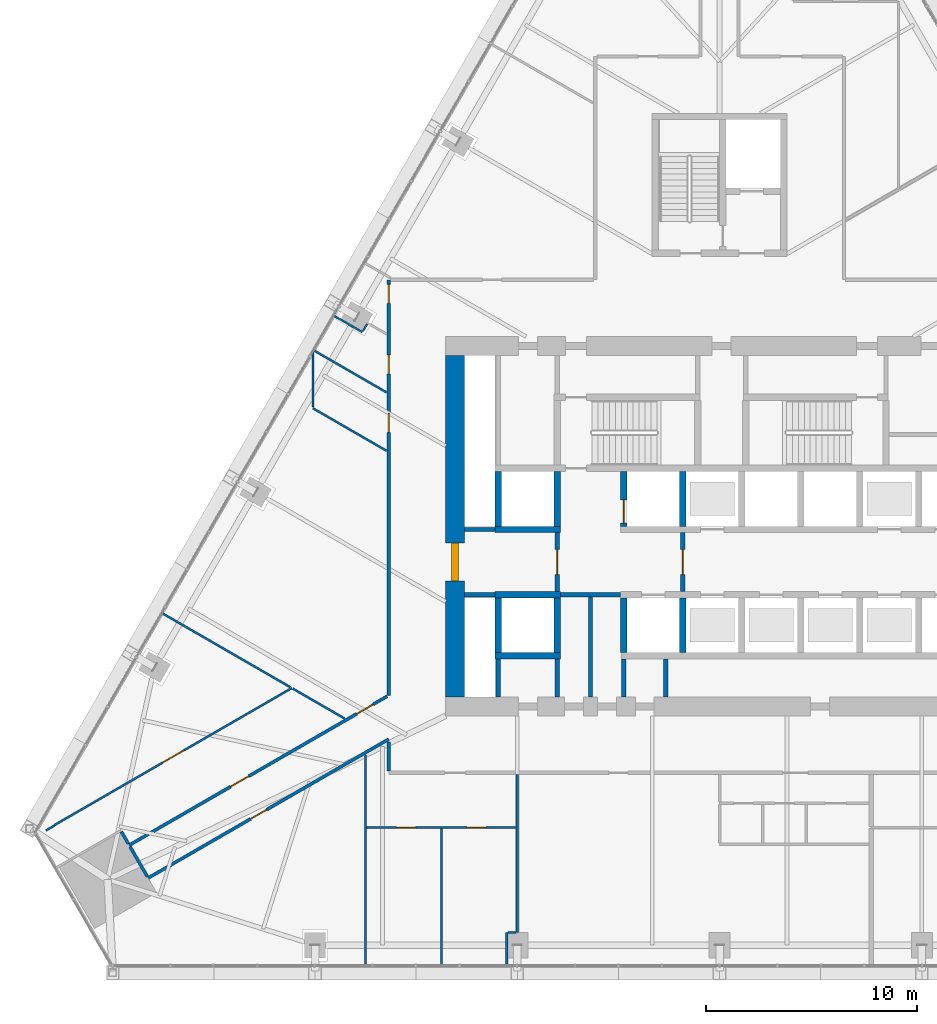
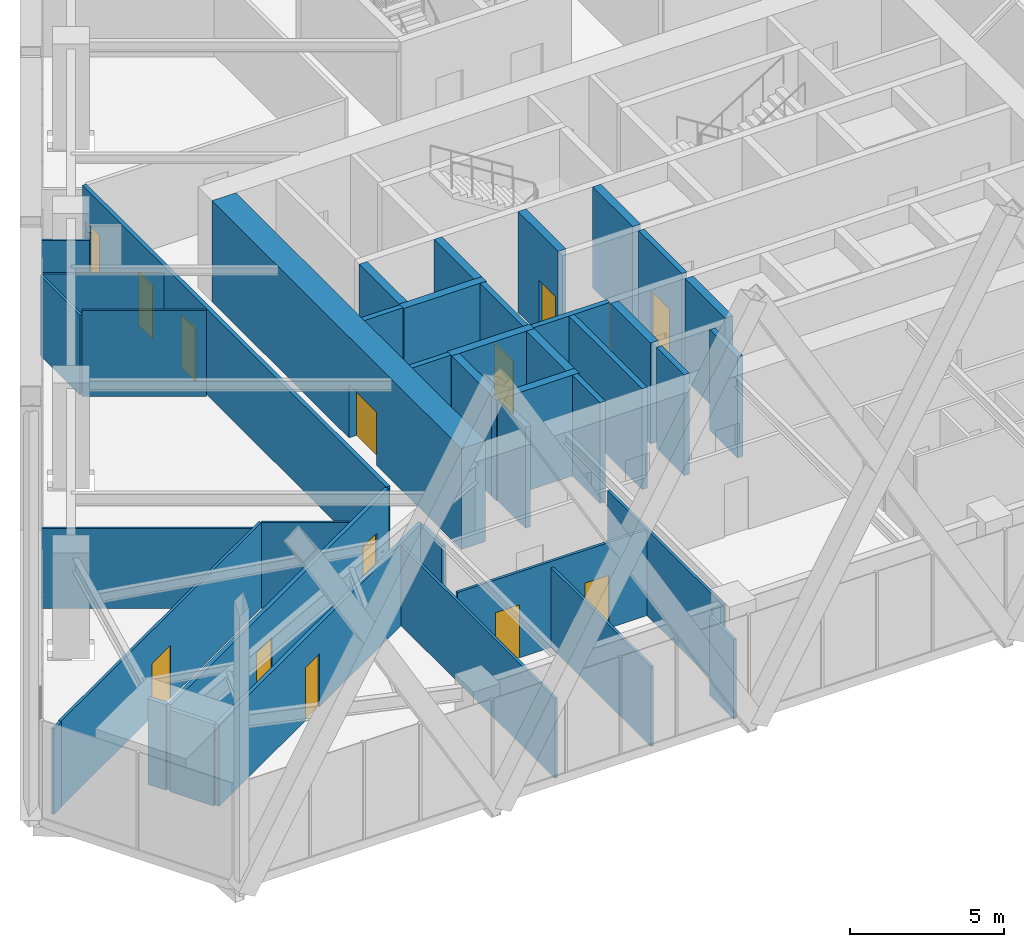
# One storey, part 17 of 26: 43 walls, 13 doors, 13 openings.
"""IFC4 building model written with IfcOpenShell, lengths in metres."""

import ifcopenshell
import ifcopenshell.guid

model = None  # the IFC model being written
_history = None  # IfcOwnerHistory: only IFC2X3 demands one
_inside = {}  # id of a spatial element -> (the spatial element, [elements in it])
_under = {}  # id of a project, library or spatial element -> (it, [spatial elements below it])
_declared = {}  # id of a project -> (the project, [libraries it declares])
_typed = {}  # id of a type object -> (the type object, [elements of that type])
_made_of = {}  # id of a material, layer set ... -> (it, [elements and type objects made of it])


def new_model(schema):
    """Start an empty IFC model of exactly this schema.

    Asked for "IFC4X3", IfcOpenShell would pick the latest addendum, in which some entities
    have other attributes; the version numbers below select the first issue.
    IFC2X3 requires an IfcOwnerHistory on every rooted entity: one is made here for all.
    """
    global model, _history
    if schema == "IFC4X3":
        model = ifcopenshell.file(schema_version=(4, 3, 0, 0))
    else:
        model = ifcopenshell.file(schema=schema)
    _inside.clear()
    _under.clear()
    _declared.clear()
    _typed.clear()
    _made_of.clear()
    _history = None
    if model.schema == "IFC2X3":
        org = make("IfcOrganization", Name="unknown")
        user = make(
            "IfcPersonAndOrganization",
            ThePerson=make("IfcPerson", FamilyName="unknown"),
            TheOrganization=org,
        )
        app = make(
            "IfcApplication",
            ApplicationDeveloper=org,
            Version="unknown",
            ApplicationFullName="unknown",
            ApplicationIdentifier="unknown",
        )
        _history = make(
            "IfcOwnerHistory",
            OwningUser=user,
            OwningApplication=app,
            ChangeAction="ADDED",
            CreationDate=0,
        )
    return model


def make(cls, **values):
    """One entity of the class cls with the attributes given. An attribute that is None is left unset."""
    return model.create_entity(
        cls, **{name: value for name, value in values.items() if value is not None}
    )


def rooted(cls, **values):
    """An entity with a GlobalId (a new one), such as an element, a storey or a relation."""
    return make(cls, GlobalId=ifcopenshell.guid.new(), OwnerHistory=_history, **values)


def si_unit(unit_type, name, prefix=None):
    """IfcSIUnit, for example si_unit("LENGTHUNIT", "METRE", prefix="MILLI")."""
    return make("IfcSIUnit", UnitType=unit_type, Prefix=prefix, Name=name)


def assignment(units):
    """IfcUnitAssignment: the units of a project."""
    return None if units is None else make("IfcUnitAssignment", Units=units)


def point(xyz):
    """IfcCartesianPoint."""
    return None if xyz is None else make("IfcCartesianPoint", Coordinates=xyz)


def direction(xyz):
    """IfcDirection."""
    return None if xyz is None else make("IfcDirection", DirectionRatios=xyz)


def frame(location, z_axis=None, x_axis=None):
    """IfcAxis2Placement3D, a coordinate frame: its origin and axes. An axis left out is left unset."""
    return make(
        "IfcAxis2Placement3D",
        Location=point(location),
        Axis=direction(z_axis),
        RefDirection=direction(x_axis),
    )


def frame_2d(location, x_axis=None):
    """IfcAxis2Placement2D, a coordinate frame in the plane: its origin and x axis."""
    return make(
        "IfcAxis2Placement2D", Location=point(location), RefDirection=direction(x_axis)
    )


def origin():
    """The frame at (0, 0, 0) with its axes left unset."""
    return frame((0.0, 0.0, 0.0))


def place(relative_to, where):
    """IfcLocalPlacement: puts the frame where relative to a parent placement (None: the world)."""
    return make(
        "IfcLocalPlacement", PlacementRelTo=relative_to, RelativePlacement=where
    )


def context(
    kind, dimensions, precision=None, world=None, true_north=None, identifier=None
):
    """IfcGeometricRepresentationContext, for example the 3D "Model" context."""
    return make(
        "IfcGeometricRepresentationContext",
        ContextIdentifier=identifier,
        ContextType=kind,
        CoordinateSpaceDimension=dimensions,
        Precision=precision,
        WorldCoordinateSystem=world,
        TrueNorth=true_north,
    )


def subcontext(parent, identifier, kind, view, scale=None):
    """IfcGeometricRepresentationSubContext, for example "Body" below "Model"."""
    return make(
        "IfcGeometricRepresentationSubContext",
        ContextIdentifier=identifier,
        ContextType=kind,
        ParentContext=parent,
        TargetScale=scale,
        TargetView=view,
    )


def project(units=None, contexts=None):
    """IfcProject with its units and contexts."""
    return rooted(
        "IfcProject",
        Name="project",
        RepresentationContexts=contexts,
        UnitsInContext=assignment(units),
    )


def spatial(cls, under=None, at=None, **own):
    """A site, building, storey or space (cls), placed at a placement, below another one or the project."""
    s = rooted(cls, ObjectPlacement=at, **own)
    if under is not None:
        _under.setdefault(under.id(), (under, []))[1].append(s)
    return s


def profile(cls, at=None, kind="AREA", **sizes):
    """A parametric profile (cls). Its sizes go by their IFC names, for example OverallWidth=200.0."""
    return make(cls, ProfileType=kind, Position=at, **sizes)


def rectangle(**sizes):
    """IfcRectangleProfileDef."""
    return profile("IfcRectangleProfileDef", **sizes)


def extrude(swept, where, along, depth):
    """IfcExtrudedAreaSolid: the profile swept, set in the frame where, extruded along a direction by depth."""
    return make(
        "IfcExtrudedAreaSolid",
        SweptArea=swept,
        Position=where,
        ExtrudedDirection=direction(along),
        Depth=depth,
    )


def shape(context_of_items, identifier, shape_type, items):
    """IfcShapeRepresentation: the items that make up one representation, for example the "Body"."""
    return make(
        "IfcShapeRepresentation",
        ContextOfItems=context_of_items,
        RepresentationIdentifier=identifier,
        RepresentationType=shape_type,
        Items=items,
    )


def material(Name=None, Category=None):
    """IfcMaterial."""
    return make("IfcMaterial", Name=Name, Category=Category)


def layer(
    of_material, thickness, ventilated=None, Name=None, Category=None, Priority=None
):
    """IfcMaterialLayer: one layer of a wall or slab, of a material (None: an air gap)."""
    return make(
        "IfcMaterialLayer",
        Material=of_material,
        LayerThickness=thickness,
        IsVentilated=ventilated,
        Name=Name,
        Category=Category,
        Priority=Priority,
    )


def layer_set(layers, Name=None):
    """IfcMaterialLayerSet."""
    return make("IfcMaterialLayerSet", MaterialLayers=layers, LayerSetName=Name)


def made_of(thing, what):
    """Note that an element or type object is made of a material, layer set ...; save() writes the relation."""
    if what is not None:
        _made_of.setdefault(what.id(), (what, []))[1].append(thing)
    return thing


def type_object(cls, material=None, **own):
    """A type object (cls), such as IfcWallType, which elements share."""
    return made_of(rooted(cls, **own), material)


def element(
    cls,
    number,
    at=None,
    inside=None,
    cuts=None,
    type_object=None,
    material=None,
    context=None,
    identifier="Body",
    shape_type=None,
    held_by="IfcProductDefinitionShape",
    body=None,
    shapes=None,
    **own,
):
    """One element of the class cls, such as IfcWall. Its Tag is "e" and its number.

    at: its placement. inside: the storey or other place that contains it. cuts: it is an
    opening in that element (IfcRelVoidsElement). A single representation is given by context,
    identifier, shape_type and body (its items); several are given by shapes. held_by: the class
    of the entity that holds the representations. save() writes the other relations.
    """
    e = rooted(cls, Tag="e%d" % number, ObjectPlacement=at, **own)
    if body is not None:
        shapes = [shape(context, identifier, shape_type, body)]
    if shapes is not None:
        e.Representation = make(held_by, Representations=shapes)
    if inside is not None:
        _inside.setdefault(inside.id(), (inside, []))[1].append(e)
    if cuts is not None:
        rooted(
            "IfcRelVoidsElement", RelatingBuildingElement=cuts, RelatedOpeningElement=e
        )
    if type_object is not None:
        _typed.setdefault(type_object.id(), (type_object, []))[1].append(e)
    return made_of(e, material)


def fill(opening, filler):
    """IfcRelFillsElement: the door or window that sits in an opening."""
    return rooted(
        "IfcRelFillsElement",
        RelatingOpeningElement=opening,
        RelatedBuildingElement=filler,
    )


def aggregate(whole, parts):
    """IfcRelAggregates: a whole, such as a stair, and the parts it consists of."""
    return rooted("IfcRelAggregates", RelatingObject=whole, RelatedObjects=parts)


def save(model, path):
    """Write the relations noted so far, then the file.

    IfcRelAggregates (storeys below a building ...), IfcRelContainedInSpatialStructure (elements
    in a storey), IfcRelDefinesByType, IfcRelAssociatesMaterial and IfcRelDeclares: one each for
    every whole, place, type object, material and project.
    """
    for whole, parts in _under.values():
        aggregate(whole, parts)
    for where, things in _inside.values():
        rooted(
            "IfcRelContainedInSpatialStructure",
            RelatedElements=things,
            RelatingStructure=where,
        )
    for kind, things in _typed.values():
        rooted("IfcRelDefinesByType", RelatedObjects=things, RelatingType=kind)
    for what, things in _made_of.values():
        rooted("IfcRelAssociatesMaterial", RelatedObjects=things, RelatingMaterial=what)
    for by, libraries in _declared.values():
        rooted("IfcRelDeclares", RelatingContext=by, RelatedDefinitions=libraries)
    model.write(path)


model = new_model("IFC4")

# Units and contexts
model_context = context("Model", 3, precision=1e-05, world=origin(), true_north=direction((0.0, 1.0)))
body_context = subcontext(model_context, "Body", "Model", "MODEL_VIEW")
ifc_project = project(units=[si_unit("LENGTHUNIT", "METRE"), si_unit("AREAUNIT", "SQUARE_METRE"), si_unit("VOLUMEUNIT", "CUBIC_METRE"), si_unit("PLANEANGLEUNIT", "RADIAN"), si_unit("MASSUNIT", "GRAM", prefix="KILO")], contexts=[model_context])

# Site, building, storey
site_placement = place(None, origin())
site = spatial("IfcSite", under=ifc_project, at=site_placement, CompositionType="ELEMENT")
building_placement = place(site_placement, origin())
building = spatial("IfcBuilding", under=site, at=building_placement, Name="Firuza Gate Tower and Library", CompositionType="ELEMENT")
storey_placement = place(building_placement, frame((0.0, 0.0, 40.0)))
storey = spatial("IfcBuildingStorey", under=building, at=storey_placement, Name="L08", CompositionType="ELEMENT", Elevation=40.0)

# Walls
ifc_material_1 = material(Name="Plasterboard on steel studs", Category="steel")
ifc_layer_1 = layer(ifc_material_1, 0.199951171875)
ifc_layer_set_1 = layer_set([ifc_layer_1], Name="Core partition 200 EI 120")
wall_type_1 = type_object("IfcWallType", Name="Core partition 200 EI 120", PredefinedType="PARTITIONING", material=ifc_layer_set_1)
wall_1_placement = place(storey_placement, frame((62.89990234375, 71.75, 0.0), z_axis=(0.0, 0.0, 1.0), x_axis=(1.0, 0.0, 0.0)))
element("IfcWall", 1, at=wall_1_placement, inside=storey, type_object=wall_type_1, Name="Core partition L08 1", PredefinedType="PARTITIONING", context=body_context, shape_type="SweptSolid", body=[
    extrude(rectangle(XDim=1.4501953125, YDim=0.199951171875, at=frame_2d((0.72509765625, 0.0))), origin(), (0.0, 0.0, 1.0), 4.0),
])
wall_2_placement = place(storey_placement, frame((67.449951171875, 71.75, 0.0), z_axis=(0.0, 0.0, 1.0), x_axis=(1.0, 0.0, 0.0)))
element("IfcWall", 2, at=wall_2_placement, inside=storey, type_object=wall_type_1, Name="Core partition L08 2", PredefinedType="PARTITIONING", context=body_context, shape_type="SweptSolid", body=[
    extrude(rectangle(XDim=2.85009765625, YDim=0.199951171875, at=frame_2d((1.425048828125, 0.0))), origin(), (0.0, 0.0, 1.0), 4.0),
])
wall_3_placement = place(storey_placement, frame((62.89990234375, 74.85009765625, 0.0), z_axis=(0.0, 0.0, 1.0), x_axis=(1.0, 0.0, 0.0)))
element("IfcWall", 3, at=wall_3_placement, inside=storey, type_object=wall_type_1, Name="Core partition L08 3", PredefinedType="PARTITIONING", context=body_context, shape_type="SweptSolid", body=[
    extrude(rectangle(XDim=1.4501953125, YDim=0.199951171875, at=frame_2d((0.72509765625, 0.0))), origin(), (0.0, 0.0, 1.0), 4.0),
])
for number, where, z_axis, x_axis, name in (
    (4, (64.5, 66.89990234375, 0.0), (0.0, 0.0, 1.0), (0.0, 1.0, 0.0), "Core partition L08 5"),
    (5, (67.300048828125, 66.89990234375, 0.0), (0.0, 0.0, 1.0), (0.0, 1.0, 0.0), "Core partition L08 7"),
):
    element("IfcWall", number, at=place(storey_placement, frame(where, z_axis=z_axis, x_axis=x_axis)), inside=storey, type_object=wall_type_1, Name=name, PredefinedType="PARTITIONING", context=body_context, shape_type="SweptSolid", body=[
        extrude(rectangle(XDim=1.800048828125, YDim=0.199951171875, at=frame_2d((0.89990234375, 0.0))), origin(), (0.0, 0.0, 1.0), 4.0),
    ])
wall_4_placement = place(storey_placement, frame((68.875, 66.89990234375, 0.0), z_axis=(0.0, 0.0, 1.0), x_axis=(0.0, 1.0, 0.0)))
element("IfcWall", 6, at=wall_4_placement, inside=storey, type_object=wall_type_1, Name="Core partition L08 10", PredefinedType="PARTITIONING", context=body_context, shape_type="SweptSolid", body=[
    extrude(rectangle(XDim=4.75, YDim=0.199951171875, at=frame_2d((2.375, 0.0))), origin(), (0.0, 0.0, 1.0), 4.0),
])
for number, where, z_axis, x_axis, name in (
    (7, (70.449951171875, 66.89990234375, 0.0), (0.0, 0.0, 1.0), (0.0, 1.0, 0.0), "Core partition L08 11"),
    (8, (72.447998046875, 66.89990234375, 0.0), (0.0, 0.0, 1.0), (0.0, 1.0, 0.0), "Core partition L08 12"),
):
    element("IfcWall", number, at=place(storey_placement, frame(where, z_axis=z_axis, x_axis=x_axis)), inside=storey, type_object=wall_type_1, Name=name, PredefinedType="PARTITIONING", context=body_context, shape_type="SweptSolid", body=[
        extrude(rectangle(XDim=1.800048828125, YDim=0.199951171875, at=frame_2d((0.89990234375, 0.0))), origin(), (0.0, 0.0, 1.0), 4.0),
    ])

# Wall, opening, door
ifc_material_2 = material(Name="Plasterboard on steel studs", Category="steel")
ifc_layer_2 = layer(ifc_material_2, 0.199951171875)
ifc_layer_set_2 = layer_set([ifc_layer_2], Name="Core partition 200 EI 60")
wall_type_2 = type_object("IfcWallType", Name="Core partition 200 EI 60", PredefinedType="PARTITIONING", material=ifc_layer_set_2)
wall_5_placement = place(storey_placement, frame((67.300048828125, 71.89990234375, 0.0), z_axis=(0.0, 0.0, 1.0), x_axis=(0.0, 1.0, 0.0)))
wall_5 = element("IfcWall", 9, at=wall_5_placement, inside=storey, type_object=wall_type_2, Name="Core partition L08 8", PredefinedType="PARTITIONING", context=body_context, shape_type="SweptSolid", body=[
    extrude(rectangle(XDim=2.800048828125, YDim=0.199951171875, at=frame_2d((1.39990234375, 0.0))), origin(), (0.0, 0.0, 1.0), 4.0),
])
opening_1_placement = place(wall_5_placement, frame((0.800048828125, 0.0, 0.0)))
opening_1 = element("IfcOpeningElement", 10, at=opening_1_placement, cuts=wall_5, Name="Opening L08-K21", PredefinedType="OPENING", context=body_context, shape_type="SweptSolid", body=[
    extrude(rectangle(XDim=1.199951171875, YDim=2.10009765625, at=frame_2d((0.60009765625, 1.050048828125))), frame((0.0, 0.10986328125, 0.0), z_axis=(0.0, -1.0, 0.0), x_axis=(1.0, 0.0, 0.0)), (0.0, 0.0, 1.0), 0.219970703125),
])
ifc_material_3 = material(Name="Steel", Category="steel")
door_type_1 = type_object("IfcDoorType", Name="Fire door 1200x2100 FD90S", OperationType="NOTDEFINED", PredefinedType="DOOR", material=ifc_material_3)
door_1_placement = place(opening_1_placement, origin())
door_1 = element("IfcDoor", 11, at=door_1_placement, inside=storey, type_object=door_type_1, Name="Door L08-K21", OperationType="SINGLE_SWING_RIGHT", OverallHeight=2.10009765625, OverallWidth=1.199951171875, PredefinedType="DOOR", context=body_context, shape_type="SweptSolid", body=[
    extrude(rectangle(XDim=1.199951171875, YDim=2.10009765625, at=frame_2d((0.60009765625, 1.050048828125))), frame((0.0, 0.02490234375, 0.0), z_axis=(0.0, -1.0, 0.0), x_axis=(1.0, 0.0, 0.0)), (0.0, 0.0, 1.0), 0.050048828125),
])
fill(opening_1, door_1)

wall_6_placement = place(storey_placement, frame((73.25, 71.89990234375, 0.0), z_axis=(0.0, 0.0, 1.0), x_axis=(0.0, 1.0, 0.0)))
wall_6 = element("IfcWall", 12, at=wall_6_placement, inside=storey, type_object=wall_type_2, Name="Core partition L08 13", PredefinedType="PARTITIONING", context=body_context, shape_type="SweptSolid", body=[
    extrude(rectangle(XDim=2.800048828125, YDim=0.199951171875, at=frame_2d((1.39990234375, 0.0))), origin(), (0.0, 0.0, 1.0), 4.0),
])
opening_2_placement = place(wall_6_placement, frame((0.800048828125, 0.0, 0.0)))
opening_2 = element("IfcOpeningElement", 13, at=opening_2_placement, cuts=wall_6, Name="Opening L08-K20", PredefinedType="OPENING", context=body_context, shape_type="SweptSolid", body=[
    extrude(rectangle(XDim=1.199951171875, YDim=2.10009765625, at=frame_2d((0.60009765625, 1.050048828125))), frame((0.0, 0.10986328125, 0.0), z_axis=(0.0, -1.0, 0.0), x_axis=(1.0, 0.0, 0.0)), (0.0, 0.0, 1.0), 0.219970703125),
])
door_2_placement = place(opening_2_placement, origin())
door_2 = element("IfcDoor", 14, at=door_2_placement, inside=storey, type_object=door_type_1, Name="Door L08-K20", OperationType="SINGLE_SWING_LEFT", OverallHeight=2.10009765625, OverallWidth=1.199951171875, PredefinedType="DOOR", context=body_context, shape_type="SweptSolid", body=[
    extrude(rectangle(XDim=1.199951171875, YDim=2.10009765625, at=frame_2d((0.60009765625, 1.050048828125))), frame((0.0, 0.02490234375, 0.0), z_axis=(0.0, -1.0, 0.0), x_axis=(1.0, 0.0, 0.0)), (0.0, 0.0, 1.0), 0.050048828125),
])
fill(opening_2, door_2)

# Walls
ifc_material_4 = material(Name="Concrete C80/95", Category="concrete")
ifc_layer_3 = layer(ifc_material_4, 0.300048828125)
ifc_layer_set_3 = layer_set([ifc_layer_3], Name="Core wall 300 C80/95")
wall_type_3 = type_object("IfcWallType", Name="Core wall 300 C80/95", PredefinedType="SHEAR", material=ifc_layer_set_3)
for number, where, z_axis, x_axis, name in (
    (15, (64.35009765625, 68.85009765625, 0.0), (0.0, 0.0, 1.0), (1.0, 0.0, 0.0), "Core wall L08 5"),
    (16, (64.35009765625, 71.75, 0.0), (0.0, 0.0, 1.0), (1.0, 0.0, 0.0), "Core wall L08 7"),
    (17, (64.35009765625, 74.85009765625, 0.0), (0.0, 0.0, 1.0), (1.0, 0.0, 0.0), "Core wall L08 9"),
):
    element("IfcWall", number, at=place(storey_placement, frame(where, z_axis=z_axis, x_axis=x_axis)), inside=storey, type_object=wall_type_3, Name=name, PredefinedType="SHEAR", context=body_context, shape_type="SweptSolid", body=[
        extrude(rectangle(XDim=3.099853515625, YDim=0.300048828125, at=frame_2d((1.5498046875, 0.0))), origin(), (0.0, 0.0, 1.0), 4.0),
    ])
for number, where, z_axis, x_axis, name in (
    (18, (64.5, 69.0, 0.0), (0.0, 0.0, 1.0), (0.0, 1.0, 0.0), "Core wall L08 11"),
    (19, (64.5, 75.0, 0.0), (0.0, 0.0, 1.0), (0.0, 1.0, 0.0), "Core wall L08 12"),
    (20, (67.300048828125, 69.0, 0.0), (0.0, 0.0, 1.0), (0.0, 1.0, 0.0), "Core wall L08 13"),
    (21, (67.300048828125, 75.0, 0.0), (0.0, 0.0, 1.0), (0.0, 1.0, 0.0), "Core wall L08 14"),
    (22, (70.449951171875, 69.0, 0.0), (0.0, 0.0, 1.0), (0.0, 1.0, 0.0), "Core wall L08 15"),
):
    element("IfcWall", number, at=place(storey_placement, frame(where, z_axis=z_axis, x_axis=x_axis)), inside=storey, type_object=wall_type_3, Name=name, PredefinedType="SHEAR", context=body_context, shape_type="SweptSolid", body=[
        extrude(rectangle(XDim=2.60009765625, YDim=0.300048828125, at=frame_2d((1.300048828125, 0.0))), origin(), (0.0, 0.0, 1.0), 4.0),
    ])

# Wall, opening, door
wall_7_placement = place(storey_placement, frame((70.449951171875, 75.0, 0.0), z_axis=(0.0, 0.0, 1.0), x_axis=(0.0, 1.0, 0.0)))
wall_7 = element("IfcWall", 23, at=wall_7_placement, inside=storey, type_object=wall_type_3, Name="Core wall L08 16", PredefinedType="SHEAR", context=body_context, shape_type="SweptSolid", body=[
    extrude(rectangle(XDim=2.60009765625, YDim=0.300048828125, at=frame_2d((1.300048828125, 0.0))), origin(), (0.0, 0.0, 1.0), 4.0),
])
opening_3_placement = place(wall_7_placement, frame((0.14990234375, 0.0, 0.0)))
opening_3 = element("IfcOpeningElement", 24, at=opening_3_placement, cuts=wall_7, Name="Opening LD-FF2-L08", PredefinedType="OPENING", context=body_context, shape_type="SweptSolid", body=[
    extrude(rectangle(XDim=1.10009765625, YDim=2.10009765625, at=frame_2d((0.550048828125, 1.050048828125))), frame((0.0, 0.16015625, 0.0), z_axis=(0.0, -1.0, 0.0), x_axis=(1.0, 0.0, 0.0)), (0.0, 0.0, 1.0), 0.320068359375),
])
ifc_material_5 = material(Name="Stainless steel", Category="steel")
door_type_2 = type_object("IfcDoorType", Name="Lift landing door 1100x2100", OperationType="DOUBLE_DOOR_SLIDING", PredefinedType="DOOR", material=ifc_material_5)
door_3_placement = place(opening_3_placement, origin())
door_3 = element("IfcDoor", 25, at=door_3_placement, inside=storey, type_object=door_type_2, Name="Landing door FF2 L08", OperationType="DOUBLE_DOOR_SLIDING", OverallHeight=2.10009765625, OverallWidth=1.10009765625, PredefinedType="DOOR", context=body_context, shape_type="SweptSolid", body=[
    extrude(rectangle(XDim=1.10009765625, YDim=2.10009765625, at=frame_2d((0.550048828125, 1.050048828125))), frame((0.0, 0.02490234375, 0.0), z_axis=(0.0, -1.0, 0.0), x_axis=(1.0, 0.0, 0.0)), (0.0, 0.0, 1.0), 0.050048828125),
])
fill(opening_3, door_3)

# Walls
for number, where, z_axis, x_axis, name in (
    (26, (73.25, 69.0, 0.0), (0.0, 0.0, 1.0), (0.0, 1.0, 0.0), "Core wall L08 17"),
    (27, (73.25, 75.0, 0.0), (0.0, 0.0, 1.0), (0.0, 1.0, 0.0), "Core wall L08 18"),
):
    element("IfcWall", number, at=place(storey_placement, frame(where, z_axis=z_axis, x_axis=x_axis)), inside=storey, type_object=wall_type_3, Name=name, PredefinedType="SHEAR", context=body_context, shape_type="SweptSolid", body=[
        extrude(rectangle(XDim=2.60009765625, YDim=0.300048828125, at=frame_2d((1.300048828125, 0.0))), origin(), (0.0, 0.0, 1.0), 4.0),
    ])

# Wall, opening, door
ifc_material_6 = material(Name="Concrete C80/95", Category="concrete")
ifc_layer_4 = layer(ifc_material_6, 0.89990234375)
ifc_layer_set_4 = layer_set([ifc_layer_4], Name="Core wall 900 C80/95")
wall_type_4 = type_object("IfcWallType", Name="Core wall 900 C80/95", PredefinedType="SHEAR", material=ifc_layer_set_4)
wall_8_placement = place(storey_placement, frame((62.449951171875, 66.89990234375, 0.0), z_axis=(0.0, 0.0, 1.0), x_axis=(0.0, 1.0, 0.0)))
wall_8 = element("IfcWall", 28, at=wall_8_placement, inside=storey, type_object=wall_type_4, Name="Core wall L08 3", PredefinedType="SHEAR", context=body_context, shape_type="SweptSolid", body=[
    extrude(rectangle(XDim=16.2001953125, YDim=0.89990234375, at=frame_2d((8.10009765625, 0.0))), origin(), (0.0, 0.0, 1.0), 4.0),
])
opening_4_placement = place(wall_8_placement, frame((5.5, 0.0, 0.0)))
opening_4 = element("IfcOpeningElement", 29, at=opening_4_placement, cuts=wall_8, Name="Opening L08-K22", PredefinedType="OPENING", context=body_context, shape_type="SweptSolid", body=[
    extrude(rectangle(XDim=1.800048828125, YDim=2.10009765625, at=frame_2d((0.89990234375, 1.050048828125))), frame((0.0, 0.4599609375, 0.0), z_axis=(0.0, -1.0, 0.0), x_axis=(1.0, 0.0, 0.0)), (0.0, 0.0, 1.0), 0.919921875),
])
ifc_material_7 = material(Name="Steel", Category="steel")
door_type_3 = type_object("IfcDoorType", Name="Fire door 1800x2100 FD30S", OperationType="NOTDEFINED", PredefinedType="DOOR", material=ifc_material_7)
door_4_placement = place(opening_4_placement, origin())
door_4 = element("IfcDoor", 30, at=door_4_placement, inside=storey, type_object=door_type_3, Name="Door L08-K22", OperationType="SINGLE_SWING_LEFT", OverallHeight=2.10009765625, OverallWidth=1.800048828125, PredefinedType="DOOR", context=body_context, shape_type="SweptSolid", body=[
    extrude(rectangle(XDim=1.800048828125, YDim=2.10009765625, at=frame_2d((0.89990234375, 1.050048828125))), frame((0.0, 0.169921875, 0.0), z_axis=(0.0, -1.0, 0.0), x_axis=(1.0, 0.0, 0.0)), (0.0, 0.0, 1.0), 0.33984375),
])
fill(opening_4, door_4)

ifc_material_8 = material(Name="Gypsum board partition")
ifc_layer_5 = layer(ifc_material_8, 0.14990234375)
ifc_layer_set_5 = layer_set([ifc_layer_5], Name="Corridor wall 150 double board on steel studs")
wall_type_5 = type_object("IfcWallType", Name="Corridor wall 150 double board on steel studs", PredefinedType="PARTITIONING", material=ifc_layer_set_5)
wall_9_placement = place(storey_placement, frame((59.300048828125, 64.896484375, 0.0), z_axis=(0.0, 0.0, 1.0), x_axis=(-0.866022774611, -0.500004553834, 0.0)))
wall_9 = element("IfcWall", 31, at=wall_9_placement, inside=storey, type_object=wall_type_5, Name="f:L08:w016", PredefinedType="PARTITIONING", context=body_context, shape_type="SweptSolid", body=[
    extrude(rectangle(XDim=13.18505859375, YDim=0.14990234375, at=frame_2d((6.592529296875, 0.0))), origin(), (0.0, 0.0, 1.0), 3.2470703125),
])
opening_5_placement = place(wall_9_placement, frame((6.676025390625, 0.0, 0.0)))
opening_5 = element("IfcOpeningElement", 32, at=opening_5_placement, cuts=wall_9, Name="Opening L08-16", PredefinedType="OPENING", context=body_context, shape_type="SweptSolid", body=[
    extrude(rectangle(XDim=0.89990234375, YDim=2.10009765625, at=frame_2d((0.449951171875, 1.050048828125))), frame((0.0, 0.0849609375, 0.0), z_axis=(0.0, -1.0, 0.0), x_axis=(1.0, 0.0, 0.0)), (0.0, 0.0, 1.0), 0.169921875),
])
ifc_material_9 = material(Name="Steel door and timber leaf", Category="steel")
door_type_4 = type_object("IfcDoorType", Name="Fire door 900 x 2100 steel frame, timber leaf", OperationType="NOTDEFINED", PredefinedType="DOOR", material=ifc_material_9)
door_5_placement = place(opening_5_placement, origin())
door_5 = element("IfcDoor", 33, at=door_5_placement, inside=storey, type_object=door_type_4, Name="f:L08:d016", OperationType="SINGLE_SWING_RIGHT", OverallHeight=2.10009765625, OverallWidth=0.89990234375, PredefinedType="DOOR", context=body_context, shape_type="SweptSolid", body=[
    extrude(rectangle(XDim=0.89990234375, YDim=2.10009765625, at=frame_2d((0.449951171875, 1.050048828125))), frame((0.0, 0.02490234375, 0.0), z_axis=(0.0, -1.0, 0.0), x_axis=(1.0, 0.0, 0.0)), (0.0, 0.0, 1.0), 0.050048828125),
])
fill(opening_5, door_5)

# Wall, openings, doors
wall_10_placement = place(storey_placement, frame((46.98095703125, 59.862548828125, 0.0), z_axis=(0.0, 0.0, 1.0), x_axis=(0.866023110832, 0.500003971489, 0.0)))
wall_10 = element("IfcWall", 34, at=wall_10_placement, inside=storey, type_object=wall_type_5, Name="f:L08:w017", PredefinedType="PARTITIONING", context=body_context, shape_type="SweptSolid", body=[
    extrude(rectangle(XDim=14.13818359375, YDim=0.14990234375, at=frame_2d((7.069091796875, 0.0))), origin(), (0.0, 0.0, 1.0), 3.39990234375),
])
opening_6_placement = place(wall_10_placement, frame((5.55908203125, 0.0, 0.0)))
opening_6 = element("IfcOpeningElement", 35, at=opening_6_placement, cuts=wall_10, Name="Opening L08-17", PredefinedType="OPENING", context=body_context, shape_type="SweptSolid", body=[
    extrude(rectangle(XDim=1.0, YDim=2.10009765625, at=frame_2d((0.5, 1.050048828125))), frame((0.0, 0.0849609375, 0.0), z_axis=(0.0, -1.0, 0.0), x_axis=(1.0, 0.0, 0.0)), (0.0, 0.0, 1.0), 0.169921875),
])
opening_7_placement = place(wall_10_placement, frame((12.474853515625, 0.0, 0.0)))
opening_7 = element("IfcOpeningElement", 36, at=opening_7_placement, cuts=wall_10, Name="Opening L08-18", PredefinedType="OPENING", context=body_context, shape_type="SweptSolid", body=[
    extrude(rectangle(XDim=0.89990234375, YDim=2.10009765625, at=frame_2d((0.449951171875, 1.050048828125))), frame((0.0, 0.0849609375, 0.0), z_axis=(0.0, -1.0, 0.0), x_axis=(1.0, 0.0, 0.0)), (0.0, 0.0, 1.0), 0.169921875),
])
ifc_material_10 = material(Name="Steel door and timber leaf", Category="steel")
door_type_5 = type_object("IfcDoorType", Name="Fire door 1000 x 2100 steel frame, timber leaf", OperationType="NOTDEFINED", PredefinedType="DOOR", material=ifc_material_10)
door_6_placement = place(opening_6_placement, origin())
door_6 = element("IfcDoor", 37, at=door_6_placement, inside=storey, type_object=door_type_5, Name="f:L08:d017", OperationType="SINGLE_SWING_RIGHT", OverallHeight=2.10009765625, OverallWidth=1.0, PredefinedType="DOOR", context=body_context, shape_type="SweptSolid", body=[
    extrude(rectangle(XDim=1.0, YDim=2.10009765625, at=frame_2d((0.5, 1.050048828125))), frame((0.0, 0.02490234375, 0.0), z_axis=(0.0, -1.0, 0.0), x_axis=(1.0, 0.0, 0.0)), (0.0, 0.0, 1.0), 0.050048828125),
])
fill(opening_6, door_6)
door_7_placement = place(opening_7_placement, origin())
door_7 = element("IfcDoor", 38, at=door_7_placement, inside=storey, type_object=door_type_4, Name="f:L08:d018", OperationType="SINGLE_SWING_RIGHT", OverallHeight=2.10009765625, OverallWidth=0.89990234375, PredefinedType="DOOR", context=body_context, shape_type="SweptSolid", body=[
    extrude(rectangle(XDim=0.89990234375, YDim=2.10009765625, at=frame_2d((0.449951171875, 1.050048828125))), frame((0.0, 0.02490234375, 0.0), z_axis=(0.0, -1.0, 0.0), x_axis=(1.0, 0.0, 0.0)), (0.0, 0.0, 1.0), 0.050048828125),
])
fill(opening_7, door_7)

# Wall
wall_11_placement = place(storey_placement, frame((59.300048828125, 63.375, 0.0), z_axis=(0.0, 0.0, 1.0), x_axis=(0.0, 1.0, 0.0)))
element("IfcWall", 39, at=wall_11_placement, inside=storey, type_object=wall_type_5, Name="f:L08:w048", PredefinedType="PARTITIONING", context=body_context, shape_type="SweptSolid", body=[
    extrude(rectangle(XDim=1.384765625, YDim=0.14990234375, at=frame_2d((0.6923828125, 0.0))), origin(), (0.0, 0.0, 1.0), 3.2470703125),
])

# Wall, openings, doors
wall_12_placement = place(storey_placement, frame((59.300048828125, 66.974853515625, 0.0), z_axis=(0.0, 0.0, 1.0), x_axis=(0.0, 1.0, 0.0)))
wall_12 = element("IfcWall", 40, at=wall_12_placement, inside=storey, type_object=wall_type_5, Name="f:L08:w049", PredefinedType="PARTITIONING", context=body_context, shape_type="SweptSolid", body=[
    extrude(rectangle(XDim=19.724609375, YDim=0.14990234375, at=frame_2d((9.8623046875, 0.0))), origin(), (0.0, 0.0, 1.0), 3.39990234375),
])
opening_8_placement = place(wall_12_placement, frame((12.48291015625, 0.0, 0.0)))
opening_8 = element("IfcOpeningElement", 41, at=opening_8_placement, cuts=wall_12, Name="Opening L08-25", PredefinedType="OPENING", context=body_context, shape_type="SweptSolid", body=[
    extrude(rectangle(XDim=0.89990234375, YDim=2.10009765625, at=frame_2d((0.449951171875, 1.050048828125))), frame((0.0, 0.0849609375, 0.0), z_axis=(0.0, -1.0, 0.0), x_axis=(1.0, 0.0, 0.0)), (0.0, 0.0, 1.0), 0.169921875),
])
opening_9_placement = place(wall_12_placement, frame((15.254150390625, 0.0, 0.0)))
opening_9 = element("IfcOpeningElement", 42, at=opening_9_placement, cuts=wall_12, Name="Opening L08-26", PredefinedType="OPENING", context=body_context, shape_type="SweptSolid", body=[
    extrude(rectangle(XDim=0.89990234375, YDim=2.10009765625, at=frame_2d((0.449951171875, 1.050048828125))), frame((0.0, 0.0849609375, 0.0), z_axis=(0.0, -1.0, 0.0), x_axis=(1.0, 0.0, 0.0)), (0.0, 0.0, 1.0), 0.169921875),
])
opening_10_placement = place(wall_12_placement, frame((18.605712890625, 0.0, 0.0)))
opening_10 = element("IfcOpeningElement", 43, at=opening_10_placement, cuts=wall_12, Name="Opening L08-27", PredefinedType="OPENING", context=body_context, shape_type="SweptSolid", body=[
    extrude(rectangle(XDim=0.89990234375, YDim=2.10009765625, at=frame_2d((0.449951171875, 1.050048828125))), frame((0.0, 0.0849609375, 0.0), z_axis=(0.0, -1.0, 0.0), x_axis=(1.0, 0.0, 0.0)), (0.0, 0.0, 1.0), 0.169921875),
])
door_8_placement = place(opening_8_placement, origin())
door_8 = element("IfcDoor", 44, at=door_8_placement, inside=storey, type_object=door_type_4, Name="f:L08:d025", OperationType="SINGLE_SWING_LEFT", OverallHeight=2.10009765625, OverallWidth=0.89990234375, PredefinedType="DOOR", context=body_context, shape_type="SweptSolid", body=[
    extrude(rectangle(XDim=0.89990234375, YDim=2.10009765625, at=frame_2d((0.449951171875, 1.050048828125))), frame((0.0, 0.02490234375, 0.0), z_axis=(0.0, -1.0, 0.0), x_axis=(1.0, 0.0, 0.0)), (0.0, 0.0, 1.0), 0.050048828125),
])
fill(opening_8, door_8)
door_9_placement = place(opening_9_placement, origin())
door_9 = element("IfcDoor", 45, at=door_9_placement, inside=storey, type_object=door_type_4, Name="f:L08:d026", OperationType="SINGLE_SWING_RIGHT", OverallHeight=2.10009765625, OverallWidth=0.89990234375, PredefinedType="DOOR", context=body_context, shape_type="SweptSolid", body=[
    extrude(rectangle(XDim=0.89990234375, YDim=2.10009765625, at=frame_2d((0.449951171875, 1.050048828125))), frame((0.0, 0.02490234375, 0.0), z_axis=(0.0, -1.0, 0.0), x_axis=(1.0, 0.0, 0.0)), (0.0, 0.0, 1.0), 0.050048828125),
])
fill(opening_9, door_9)
door_10_placement = place(opening_10_placement, origin())
door_10 = element("IfcDoor", 46, at=door_10_placement, inside=storey, type_object=door_type_4, Name="f:L08:d027", OperationType="SINGLE_SWING_LEFT", OverallHeight=2.10009765625, OverallWidth=0.89990234375, PredefinedType="DOOR", context=body_context, shape_type="SweptSolid", body=[
    extrude(rectangle(XDim=0.89990234375, YDim=2.10009765625, at=frame_2d((0.449951171875, 1.050048828125))), frame((0.0, 0.02490234375, 0.0), z_axis=(0.0, -1.0, 0.0), x_axis=(1.0, 0.0, 0.0)), (0.0, 0.0, 1.0), 0.050048828125),
])
fill(opening_10, door_10)

# Walls
wall_13_placement = place(storey_placement, frame((47.84326171875, 58.369140625, 0.0), z_axis=(0.0, 0.0, 1.0), x_axis=(-0.499991515992, 0.866030301974, 0.0)))
element("IfcWall", 47, at=wall_13_placement, inside=storey, type_object=wall_type_5, Name="f:L08:w053", PredefinedType="PARTITIONING", context=body_context, shape_type="SweptSolid", body=[
    extrude(rectangle(XDim=1.6494140625, YDim=0.14990234375, at=frame_2d((0.82470703125, 0.0))), origin(), (0.0, 0.0, 1.0), 3.2470703125),
])
wall_14_placement = place(storey_placement, frame((46.943603515625, 59.927490234375, 0.0), z_axis=(0.0, 0.0, 1.0), x_axis=(-0.500265536072, 0.865872042174, 0.0)))
element("IfcWall", 48, at=wall_14_placement, inside=storey, type_object=wall_type_5, Name="f:L08:w069", PredefinedType="PARTITIONING", context=body_context, shape_type="SweptSolid", body=[
    extrude(rectangle(XDim=0.674560546875, YDim=0.14990234375, at=frame_2d((0.33740234375, 0.0))), origin(), (0.0, 0.0, 1.0), 3.39990234375),
])
ifc_material_11 = material(Name="Gypsum board partition")
ifc_layer_6 = layer(ifc_material_11, 0.10009765625)
ifc_layer_set_6 = layer_set([ifc_layer_6], Name="Partition 100 gypsum board on steel studs")
wall_type_6 = type_object("IfcWallType", Name="Partition 100 gypsum board on steel studs", PredefinedType="PARTITIONING", material=ifc_layer_set_6)
wall_15_placement = place(storey_placement, frame((64.950439453125, 55.715087890625, 0.0), z_axis=(0.0, 0.0, 1.0), x_axis=(1.0, 0.0, 0.0)))
element("IfcWall", 49, at=wall_15_placement, inside=storey, type_object=wall_type_6, Name="f:L08:w000", PredefinedType="PARTITIONING", context=body_context, shape_type="SweptSolid", body=[
    extrude(rectangle(XDim=0.399169921875, YDim=0.10009765625, at=frame_2d((0.19970703125, 0.0))), origin(), (0.0, 0.0, 1.0), 3.39990234375),
])

# Wall, openings, doors
wall_16_placement = place(storey_placement, frame((58.25, 60.699951171875, 0.0), z_axis=(0.0, 0.0, 1.0), x_axis=(1.0, 0.0, 0.0)))
wall_16 = element("IfcWall", 50, at=wall_16_placement, inside=storey, type_object=wall_type_6, Name="f:L08:w003", PredefinedType="PARTITIONING", context=body_context, shape_type="SweptSolid", body=[
    extrude(rectangle(XDim=7.10009765625, YDim=0.10009765625, at=frame_2d((3.550048828125, 0.0))), origin(), (0.0, 0.0, 1.0), 3.39990234375),
])
opening_11_placement = place(wall_16_placement, frame((1.426513671875, 0.0, 0.0)))
opening_11 = element("IfcOpeningElement", 51, at=opening_11_placement, cuts=wall_16, Name="Opening L08-01", PredefinedType="OPENING", context=body_context, shape_type="SweptSolid", body=[
    extrude(rectangle(XDim=0.89990234375, YDim=2.10009765625, at=frame_2d((0.449951171875, 1.050048828125))), frame((0.0, 0.06005859375, 0.0), z_axis=(0.0, -1.0, 0.0), x_axis=(1.0, 0.0, 0.0)), (0.0, 0.0, 1.0), 0.1201171875),
])
opening_12_placement = place(wall_16_placement, frame((4.7734375, 0.0, 0.0)))
opening_12 = element("IfcOpeningElement", 52, at=opening_12_placement, cuts=wall_16, Name="Opening L08-02", PredefinedType="OPENING", context=body_context, shape_type="SweptSolid", body=[
    extrude(rectangle(XDim=0.89990234375, YDim=2.10009765625, at=frame_2d((0.449951171875, 1.050048828125))), frame((0.0, 0.06005859375, 0.0), z_axis=(0.0, -1.0, 0.0), x_axis=(1.0, 0.0, 0.0)), (0.0, 0.0, 1.0), 0.1201171875),
])
ifc_material_12 = material(Name="Timber door", Category="wood")
door_type_6 = type_object("IfcDoorType", Name="Door 900 x 2100 timber leaf", OperationType="NOTDEFINED", PredefinedType="DOOR", material=ifc_material_12)
door_11_placement = place(opening_11_placement, origin())
door_11 = element("IfcDoor", 53, at=door_11_placement, inside=storey, type_object=door_type_6, Name="f:L08:d001", OperationType="SINGLE_SWING_LEFT", OverallHeight=2.10009765625, OverallWidth=0.89990234375, PredefinedType="DOOR", context=body_context, shape_type="SweptSolid", body=[
    extrude(rectangle(XDim=0.89990234375, YDim=2.10009765625, at=frame_2d((0.449951171875, 1.050048828125))), frame((0.0, 0.02490234375, 0.0), z_axis=(0.0, -1.0, 0.0), x_axis=(1.0, 0.0, 0.0)), (0.0, 0.0, 1.0), 0.050048828125),
])
fill(opening_11, door_11)
door_12_placement = place(opening_12_placement, origin())
door_12 = element("IfcDoor", 54, at=door_12_placement, inside=storey, type_object=door_type_6, Name="f:L08:d002", OperationType="SINGLE_SWING_RIGHT", OverallHeight=2.10009765625, OverallWidth=0.89990234375, PredefinedType="DOOR", context=body_context, shape_type="SweptSolid", body=[
    extrude(rectangle(XDim=0.89990234375, YDim=2.10009765625, at=frame_2d((0.449951171875, 1.050048828125))), frame((0.0, 0.02490234375, 0.0), z_axis=(0.0, -1.0, 0.0), x_axis=(1.0, 0.0, 0.0)), (0.0, 0.0, 1.0), 0.050048828125),
])
fill(opening_12, door_12)

# Wall
wall_17_placement = place(storey_placement, frame((43.029541015625, 60.560302734375, 0.0), z_axis=(0.0, 0.0, 1.0), x_axis=(0.866073792734, 0.499916178513, 0.0)))
element("IfcWall", 55, at=wall_17_placement, inside=storey, type_object=wall_type_6, Name="f:L08:w019", PredefinedType="PARTITIONING", context=body_context, shape_type="SweptSolid", body=[
    extrude(rectangle(XDim=0.47265625, YDim=0.10009765625, at=frame_2d((0.236328125, 0.0))), origin(), (0.0, 0.0, 1.0), 3.39990234375),
])

# Wall, opening, door
wall_18_placement = place(storey_placement, frame((54.699951171875, 67.3212890625, 0.0), z_axis=(0.0, 0.0, 1.0), x_axis=(-0.866023761488, -0.500002844531, 0.0)))
wall_18 = element("IfcWall", 56, at=wall_18_placement, inside=storey, type_object=wall_type_6, Name="f:L08:w020", PredefinedType="PARTITIONING", context=body_context, shape_type="SweptSolid", body=[
    extrude(rectangle(XDim=13.01416015625, YDim=0.10009765625, at=frame_2d((6.507080078125, 0.0))), origin(), (0.0, 0.0, 1.0), 3.39990234375),
])
opening_13_placement = place(wall_18_placement, frame((5.906982421875, 0.0, 0.0)))
opening_13 = element("IfcOpeningElement", 57, at=opening_13_placement, cuts=wall_18, Name="Opening L08-19", PredefinedType="OPENING", context=body_context, shape_type="SweptSolid", body=[
    extrude(rectangle(XDim=1.199951171875, YDim=2.10009765625, at=frame_2d((0.60009765625, 1.050048828125))), frame((0.0, 0.06005859375, 0.0), z_axis=(0.0, -1.0, 0.0), x_axis=(1.0, 0.0, 0.0)), (0.0, 0.0, 1.0), 0.1201171875),
])
ifc_material_13 = material(Name="Glazed aluminium door", Category="aluminium")
door_type_7 = type_object("IfcDoorType", Name="Door 1200 x 2100 glazed double leaf", OperationType="NOTDEFINED", PredefinedType="DOOR", material=ifc_material_13)
door_13_placement = place(opening_13_placement, origin())
door_13 = element("IfcDoor", 58, at=door_13_placement, inside=storey, type_object=door_type_7, Name="f:L08:d019", OperationType="DOUBLE_DOOR_SINGLE_SWING", OverallHeight=2.10009765625, OverallWidth=1.199951171875, PredefinedType="DOOR", context=body_context, shape_type="SweptSolid", body=[
    extrude(rectangle(XDim=1.199951171875, YDim=2.10009765625, at=frame_2d((0.60009765625, 1.050048828125))), frame((0.0, 0.02490234375, 0.0), z_axis=(0.0, -1.0, 0.0), x_axis=(1.0, 0.0, 0.0)), (0.0, 0.0, 1.0), 0.050048828125),
])
fill(opening_13, door_13)

# Walls
wall_19_placement = place(storey_placement, frame((58.078857421875, 84.261474609375, 0.0), z_axis=(0.0, 0.0, 1.0), x_axis=(0.499776670437, 0.866154304779, 0.0)))
element("IfcWall", 59, at=wall_19_placement, inside=storey, type_object=wall_type_6, Name="f:L08:w027", PredefinedType="PARTITIONING", context=body_context, shape_type="SweptSolid", body=[
    extrude(rectangle(XDim=0.389892578125, YDim=0.10009765625, at=frame_2d((0.19482421875, 0.0))), origin(), (0.0, 0.0, 1.0), 3.39990234375),
])
wall_20_placement = place(storey_placement, frame((65.39990234375, 55.7158203125, 0.0), z_axis=(0.0, 0.0, 1.0), x_axis=(0.0, 1.0, 0.0)))
element("IfcWall", 60, at=wall_20_placement, inside=storey, type_object=wall_type_6, Name="f:L08:w045", PredefinedType="PARTITIONING", context=body_context, shape_type="SweptSolid", body=[
    extrude(rectangle(XDim=7.50927734375, YDim=0.10009765625, at=frame_2d((3.754638671875, 0.0))), origin(), (0.0, 0.0, 1.0), 3.39990234375),
])
wall_21_placement = place(storey_placement, frame((64.89990234375, 54.1552734375, 0.0), z_axis=(0.0, 0.0, 1.0), x_axis=(0.0, 1.0, 0.0)))
element("IfcWall", 61, at=wall_21_placement, inside=storey, type_object=wall_type_6, Name="f:L08:w046", PredefinedType="PARTITIONING", context=body_context, shape_type="SweptSolid", body=[
    extrude(rectangle(XDim=1.5595703125, YDim=0.10009765625, at=frame_2d((0.77978515625, 0.0))), origin(), (0.0, 0.0, 1.0), 3.1650390625),
])
wall_22_placement = place(storey_placement, frame((61.800048828125, 54.1552734375, 0.0), z_axis=(0.0, 0.0, 1.0), x_axis=(0.0, 1.0, 0.0)))
element("IfcWall", 62, at=wall_22_placement, inside=storey, type_object=wall_type_6, Name="f:L08:w047", PredefinedType="PARTITIONING", context=body_context, shape_type="SweptSolid", body=[
    extrude(rectangle(XDim=6.49462890625, YDim=0.10009765625, at=frame_2d((3.247314453125, 0.0))), origin(), (0.0, 0.0, 1.0), 3.1650390625),
])
wall_23_placement = place(storey_placement, frame((58.199951171875, 54.1552734375, 0.0), z_axis=(0.0, 0.0, 1.0), x_axis=(0.0, 1.0, 0.0)))
element("IfcWall", 63, at=wall_23_placement, inside=storey, type_object=wall_type_6, Name="f:L08:w050", PredefinedType="PARTITIONING", context=body_context, shape_type="SweptSolid", body=[
    extrude(rectangle(XDim=9.989501953125, YDim=0.10009765625, at=frame_2d((4.99462890625, 0.0))), origin(), (0.0, 0.0, 1.0), 3.1650390625),
])
wall_24_placement = place(storey_placement, frame((55.699951171875, 80.658935546875, 0.0), z_axis=(0.0, 0.0, 1.0), x_axis=(0.0, 1.0, 0.0)))
element("IfcWall", 64, at=wall_24_placement, inside=storey, type_object=wall_type_6, Name="f:L08:w051", PredefinedType="PARTITIONING", context=body_context, shape_type="SweptSolid", body=[
    extrude(rectangle(XDim=2.601806640625, YDim=0.10009765625, at=frame_2d((1.30078125, 0.0))), origin(), (0.0, 0.0, 1.0), 3.1650390625),
])
wall_25_placement = place(storey_placement, frame((58.049072265625, 84.20947265625, 0.0), z_axis=(0.0, 0.0, 1.0), x_axis=(-0.866096984875, 0.499875997414, 0.0)))
element("IfcWall", 65, at=wall_25_placement, inside=storey, type_object=wall_type_6, Name="f:L08:w058", PredefinedType="PARTITIONING", context=body_context, shape_type="SweptSolid", body=[
    extrude(rectangle(XDim=1.56005859375, YDim=0.10009765625, at=frame_2d((0.780029296875, 0.0))), origin(), (0.0, 0.0, 1.0), 3.1650390625),
])
wall_26_placement = place(storey_placement, frame((59.198974609375, 81.3515625, 0.0), z_axis=(0.0, 0.0, 1.0), x_axis=(-0.866013418812, 0.500020758006, 0.0)))
element("IfcWall", 66, at=wall_26_placement, inside=storey, type_object=wall_type_6, Name="f:L08:w061", PredefinedType="PARTITIONING", context=body_context, shape_type="SweptSolid", body=[
    extrude(rectangle(XDim=3.943603515625, YDim=0.10009765625, at=frame_2d((1.9716796875, 0.0))), origin(), (0.0, 0.0, 1.0), 3.1650390625),
])
wall_27_placement = place(storey_placement, frame((59.198974609375, 78.580322265625, 0.0), z_axis=(0.0, 0.0, 1.0), x_axis=(-0.866025579307, 0.499999695987, 0.0)))
element("IfcWall", 67, at=wall_27_placement, inside=storey, type_object=wall_type_6, Name="f:L08:w064", PredefinedType="PARTITIONING", context=body_context, shape_type="SweptSolid", body=[
    extrude(rectangle(XDim=4.0400390625, YDim=0.10009765625, at=frame_2d((2.02001953125, 0.0))), origin(), (0.0, 0.0, 1.0), 3.39990234375),
])
wall_28_placement = place(storey_placement, frame((57.198974609375, 65.87841796875, 0.0), z_axis=(0.0, 0.0, 1.0), x_axis=(-0.865982457891, 0.500074377092, 0.0)))
element("IfcWall", 68, at=wall_28_placement, inside=storey, type_object=wall_type_6, Name="f:L08:w065", PredefinedType="PARTITIONING", context=body_context, shape_type="SweptSolid", body=[
    extrude(rectangle(XDim=2.84228515625, YDim=0.10009765625, at=frame_2d((1.421142578125, 0.0))), origin(), (0.0, 0.0, 1.0), 3.39990234375),
])
wall_29_placement = place(storey_placement, frame((54.625, 67.36474609375, 0.0), z_axis=(0.0, 0.0, 1.0), x_axis=(-0.866037841179, 0.499978457183, 0.0)))
element("IfcWall", 69, at=wall_29_placement, inside=storey, type_object=wall_type_6, Name="f:L08:w070", PredefinedType="PARTITIONING", context=body_context, shape_type="SweptSolid", body=[
    extrude(rectangle(XDim=7.016845703125, YDim=0.10009765625, at=frame_2d((3.50830078125, 0.0))), origin(), (0.0, 0.0, 1.0), 3.1650390625),
])

save(model, "model.ifc")
